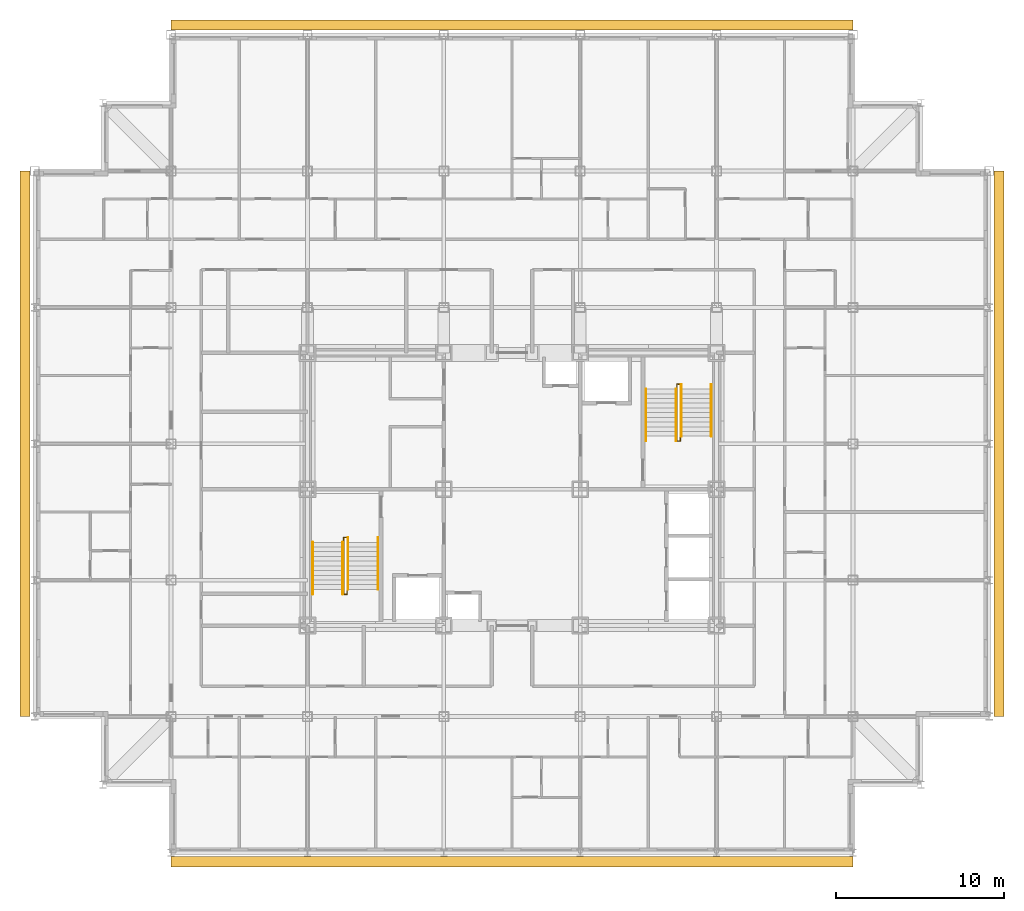
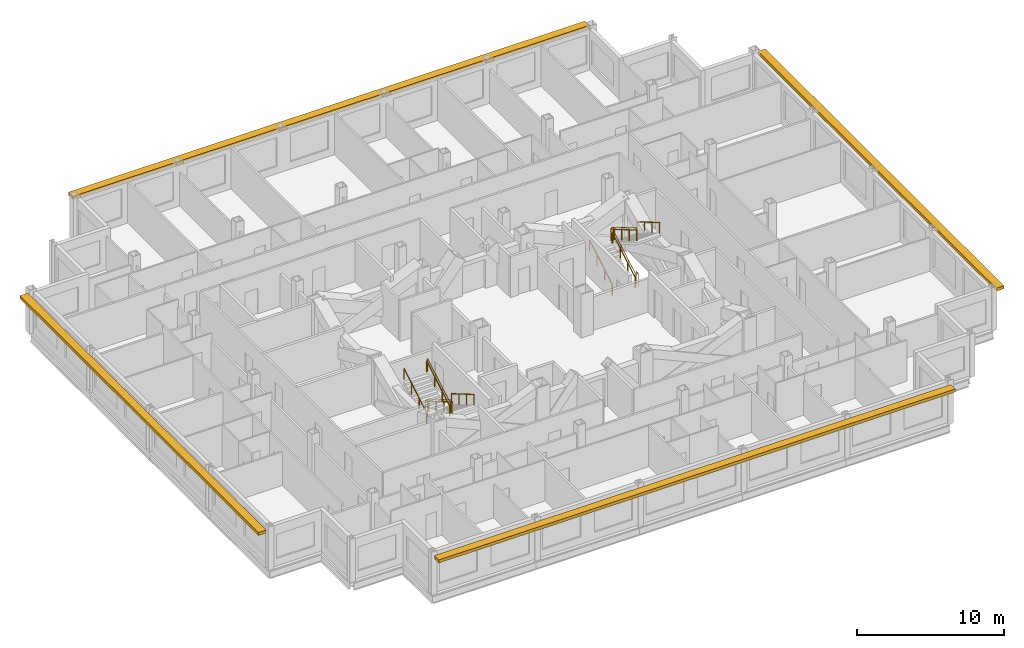
# One storey, part 12 of 12: 10 railings, 4 shading devices.
"""IFC4 building model written with IfcOpenShell, lengths in metres."""

from ifc_helpers import new_model, si_unit, direction, frame, origin, origin_2d, place, context, subcontext, project, spatial, rectangle, circle, extrude, material, type_object, element, save


model = new_model("IFC4")

# Units and contexts
model_context = context("Model", 3, precision=1e-05, world=origin(), true_north=direction((0.0, 1.0)))
body_context = subcontext(model_context, "Body", "Model", "MODEL_VIEW")
ifc_project = project(units=[si_unit("LENGTHUNIT", "METRE"), si_unit("AREAUNIT", "SQUARE_METRE"), si_unit("VOLUMEUNIT", "CUBIC_METRE"), si_unit("PLANEANGLEUNIT", "RADIAN"), si_unit("MASSUNIT", "GRAM", prefix="KILO")], contexts=[model_context])

# Site, building, storey
site_placement = place(None, origin())
site = spatial("IfcSite", under=ifc_project, at=site_placement, CompositionType="ELEMENT")
building_placement = place(site_placement, origin())
building = spatial("IfcBuilding", under=site, at=building_placement, Name="Kopane Lantern Tower", CompositionType="ELEMENT")
storey_placement = place(building_placement, frame((0.0, 0.0, 206.39990234375)))
storey = spatial("IfcBuildingStorey", under=building, at=storey_placement, Name="L53", CompositionType="ELEMENT", Elevation=206.39990234375)

# Railings
ifc_material_1 = material(Name="Steel", Category="steel")
railing_type_1 = type_object("IfcRailingType", Name="STAIR GUARD 1100", PredefinedType="GUARDRAIL", material=ifc_material_1)
railing_1_placement = place(storey_placement, frame((18.35009765625, 29.25, 0.0)))
element("IfcRailing", 1, at=railing_1_placement, inside=storey, type_object=railing_type_1, Name="ST1 well guard L53", PredefinedType="GUARDRAIL", context=body_context, shape_type="SweptSolid", body=[
    extrude(circle(Radius=0.02392578125, at=origin_2d()), frame((0.0, 0.0, 1.076171875), z_axis=(0.0, 1.0, 0.0), x_axis=(-1.0, 0.0, 0.0)), (0.0, 0.0, 1.0), 0.280029296875),
    extrude(circle(Radius=0.02392578125, at=origin_2d()), frame((0.0, 0.280029296875, 1.076171875), z_axis=(1.0, 0.0, 0.0), x_axis=(0.0, 1.0, 0.0)), (0.0, 0.0, 1.0), 0.199951171875),
    extrude(circle(Radius=0.02392578125, at=origin_2d()), frame((0.199951171875, 0.280029296875, 1.076171875), z_axis=(0.0, -0.863371556955, 0.504568681787), x_axis=(1.0, 0.0, 0.0)), (0.0, 0.0, 1.0), 3.5673828125),
    extrude(circle(Radius=0.02392578125, at=origin_2d()), frame((0.199951171875, -2.800048828125, 2.8759765625), z_axis=(0.0, -1.0, 0.0), x_axis=(1.0, 0.0, 0.0)), (0.0, 0.0, 1.0), 0.280029296875),
    extrude(circle(Radius=0.02392578125, at=origin_2d()), frame((0.199951171875, -3.080078125, 2.8759765625), z_axis=(-1.0, 0.0, 0.0), x_axis=(0.0, -1.0, 0.0)), (0.0, 0.0, 1.0), 0.199951171875),
    extrude(circle(Radius=0.02392578125, at=origin_2d()), frame((0.0, -3.080078125, 2.8759765625), z_axis=(0.0, 0.863371556955, 0.504568681787), x_axis=(-1.0, 0.0, 0.0)), (0.0, 0.0, 1.0), 3.5673828125),
    extrude(circle(Radius=0.02099609375, at=origin_2d()), origin(), (0.0, 0.0, 1.0), 1.052001953125),
    extrude(circle(Radius=0.02099609375, at=origin_2d()), frame((0.0, 0.280029296875, 0.0)), (0.0, 0.0, 1.0), 1.052001953125),
    extrude(circle(Radius=0.02099609375, at=origin_2d()), frame((0.199951171875, 0.280029296875, 0.0)), (0.0, 0.0, 1.0), 1.052001953125),
    extrude(circle(Radius=0.02099609375, at=origin_2d()), frame((0.199951171875, -0.74658203125, 0.60009765625)), (0.0, 0.0, 1.0), 1.052001953125),
    extrude(circle(Radius=0.02099609375, at=origin_2d()), frame((0.199951171875, -1.7734375, 1.199951171875)), (0.0, 0.0, 1.0), 1.052001953125),
    extrude(circle(Radius=0.02099609375, at=origin_2d()), frame((0.199951171875, -2.800048828125, 1.800048828125)), (0.0, 0.0, 1.0), 1.052001953125),
    extrude(circle(Radius=0.02099609375, at=origin_2d()), frame((0.199951171875, -3.080078125, 1.800048828125)), (0.0, 0.0, 1.0), 1.052001953125),
    extrude(circle(Radius=0.02099609375, at=origin_2d()), frame((0.0, -3.080078125, 1.800048828125)), (0.0, 0.0, 1.0), 1.052001953125),
    extrude(circle(Radius=0.02099609375, at=origin_2d()), frame((0.0, -2.053466796875, 2.400146484375)), (0.0, 0.0, 1.0), 1.052001953125),
    extrude(circle(Radius=0.02099609375, at=origin_2d()), frame((0.0, -1.026611328125, 3.0)), (0.0, 0.0, 1.0), 1.052001953125),
    extrude(circle(Radius=0.02099609375, at=origin_2d()), frame((0.0, 0.0, 3.60009765625)), (0.0, 0.0, 1.0), 1.052001953125),
])
railing_2_placement = place(storey_placement, frame((38.35009765625, 35.550048828125, 0.0)))
element("IfcRailing", 2, at=railing_2_placement, inside=storey, type_object=railing_type_1, Name="ST2 well guard L53", PredefinedType="GUARDRAIL", context=body_context, shape_type="SweptSolid", body=[
    extrude(circle(Radius=0.02392578125, at=origin_2d()), frame((0.0, 0.0, 1.076171875), z_axis=(0.0, -1.0, 0.0), x_axis=(1.0, 0.0, 0.0)), (0.0, 0.0, 1.0), 0.280029296875),
    extrude(circle(Radius=0.02392578125, at=origin_2d()), frame((0.0, -0.280029296875, 1.076171875), z_axis=(-1.0, 0.0, 0.0), x_axis=(0.0, -1.0, 0.0)), (0.0, 0.0, 1.0), 0.2001953125),
    extrude(circle(Radius=0.02392578125, at=origin_2d()), frame((-0.2001953125, -0.280029296875, 1.076171875), z_axis=(0.0, 0.863371556955, 0.504568681787), x_axis=(-1.0, 0.0, 0.0)), (0.0, 0.0, 1.0), 3.5673828125),
    extrude(circle(Radius=0.02392578125, at=origin_2d()), frame((-0.2001953125, 2.800048828125, 2.8759765625), z_axis=(0.0, 1.0, 0.0), x_axis=(-1.0, 0.0, 0.0)), (0.0, 0.0, 1.0), 0.27978515625),
    extrude(circle(Radius=0.02392578125, at=origin_2d()), frame((-0.2001953125, 3.079833984375, 2.8759765625), z_axis=(1.0, 0.0, 0.0), x_axis=(0.0, 1.0, 0.0)), (0.0, 0.0, 1.0), 0.2001953125),
    extrude(circle(Radius=0.02392578125, at=origin_2d()), frame((0.0, 3.079833984375, 2.8759765625), z_axis=(0.0, -0.863354132664, 0.504598495452), x_axis=(1.0, 0.0, 0.0)), (0.0, 0.0, 1.0), 3.5673828125),
    extrude(circle(Radius=0.02099609375, at=origin_2d()), origin(), (0.0, 0.0, 1.0), 1.052001953125),
    extrude(circle(Radius=0.02099609375, at=origin_2d()), frame((0.0, -0.280029296875, 0.0)), (0.0, 0.0, 1.0), 1.052001953125),
    extrude(circle(Radius=0.02099609375, at=origin_2d()), frame((-0.2001953125, -0.280029296875, 0.0)), (0.0, 0.0, 1.0), 1.052001953125),
    extrude(circle(Radius=0.02099609375, at=origin_2d()), frame((-0.2001953125, 0.74658203125, 0.60009765625)), (0.0, 0.0, 1.0), 1.052001953125),
    extrude(circle(Radius=0.02099609375, at=origin_2d()), frame((-0.2001953125, 1.7734375, 1.199951171875)), (0.0, 0.0, 1.0), 1.052001953125),
    extrude(circle(Radius=0.02099609375, at=origin_2d()), frame((-0.2001953125, 2.800048828125, 1.800048828125)), (0.0, 0.0, 1.0), 1.052001953125),
    extrude(circle(Radius=0.02099609375, at=origin_2d()), frame((-0.2001953125, 3.079833984375, 1.800048828125)), (0.0, 0.0, 1.0), 1.052001953125),
    extrude(circle(Radius=0.02099609375, at=origin_2d()), frame((0.0, 3.079833984375, 1.800048828125)), (0.0, 0.0, 1.0), 1.052001953125),
    extrude(circle(Radius=0.02099609375, at=origin_2d()), frame((0.0, 2.05322265625, 2.400146484375)), (0.0, 0.0, 1.0), 1.052001953125),
    extrude(circle(Radius=0.02099609375, at=origin_2d()), frame((0.0, 1.026611328125, 3.0)), (0.0, 0.0, 1.0), 1.052001953125),
    extrude(circle(Radius=0.02099609375, at=origin_2d()), frame((0.0, 0.0, 3.60009765625)), (0.0, 0.0, 1.0), 1.052001953125),
])
ifc_material_2 = material(Name="Steel", Category="steel")
railing_type_2 = type_object("IfcRailingType", Name="STAIR HANDRAIL 900", PredefinedType="HANDRAIL", material=ifc_material_2)
for number, where, name in (
    (3, (20.389892578125, 29.530029296875, 0.0), "ST1 handrail L53 flight 1"),
    (4, (18.610107421875, 29.530029296875, 0.0), "ST1 handrail L53 flight 1"),
):
    element("IfcRailing", number, at=place(storey_placement, frame(where)), inside=storey, type_object=railing_type_2, Name=name, PredefinedType="HANDRAIL", context=body_context, shape_type="SweptSolid", body=[
        extrude(circle(Radius=0.02392578125, at=origin_2d()), frame((0.0, 0.0, 0.8759765625), z_axis=(0.0, -0.863371556955, 0.504568681787), x_axis=(1.0, 0.0, 0.0)), (0.0, 0.0, 1.0), 3.5673828125),
        extrude(circle(Radius=0.02099609375, at=origin_2d()), origin(), (0.0, 0.0, 1.0), 0.851806640625),
        extrude(circle(Radius=0.02099609375, at=origin_2d()), frame((0.0, -1.026611328125, 0.60009765625)), (0.0, 0.0, 1.0), 0.851806640625),
        extrude(circle(Radius=0.02099609375, at=origin_2d()), frame((0.0, -2.053466796875, 1.199951171875)), (0.0, 0.0, 1.0), 0.851806640625),
        extrude(circle(Radius=0.02099609375, at=origin_2d()), frame((0.0, -3.080078125, 1.800048828125)), (0.0, 0.0, 1.0), 0.851806640625),
    ])
for number, where, name in (
    (5, (16.510009765625, 26.169921875, 1.800048828125), "ST1 handrail L53 flight 2"),
    (6, (18.2900390625, 26.169921875, 1.800048828125), "ST1 handrail L53 flight 2"),
    (7, (36.31005859375, 35.27001953125, 0.0), "ST2 handrail L53 flight 1"),
    (8, (38.090087890625, 35.27001953125, 0.0), "ST2 handrail L53 flight 1"),
):
    element("IfcRailing", number, at=place(storey_placement, frame(where)), inside=storey, type_object=railing_type_2, Name=name, PredefinedType="HANDRAIL", context=body_context, shape_type="SweptSolid", body=[
        extrude(circle(Radius=0.02392578125, at=origin_2d()), frame((0.0, 0.0, 0.8759765625), z_axis=(0.0, 0.863371556955, 0.504568681787), x_axis=(-1.0, 0.0, 0.0)), (0.0, 0.0, 1.0), 3.5673828125),
        extrude(circle(Radius=0.02099609375, at=origin_2d()), origin(), (0.0, 0.0, 1.0), 0.851806640625),
        extrude(circle(Radius=0.02099609375, at=origin_2d()), frame((0.0, 1.026611328125, 0.60009765625)), (0.0, 0.0, 1.0), 0.851806640625),
        extrude(circle(Radius=0.02099609375, at=origin_2d()), frame((0.0, 2.053466796875, 1.199951171875)), (0.0, 0.0, 1.0), 0.851806640625),
        extrude(circle(Radius=0.02099609375, at=origin_2d()), frame((0.0, 3.080078125, 1.800048828125)), (0.0, 0.0, 1.0), 0.851806640625),
    ])
for number, where, name in (
    (9, (40.18994140625, 38.6298828125, 1.800048828125), "ST2 handrail L53 flight 2"),
    (10, (38.409912109375, 38.6298828125, 1.800048828125), "ST2 handrail L53 flight 2"),
):
    element("IfcRailing", number, at=place(storey_placement, frame(where)), inside=storey, type_object=railing_type_2, Name=name, PredefinedType="HANDRAIL", context=body_context, shape_type="SweptSolid", body=[
        extrude(circle(Radius=0.02392578125, at=origin_2d()), frame((0.0, 0.0, 0.8759765625), z_axis=(0.0, -0.863354132664, 0.504598495452), x_axis=(1.0, 0.0, 0.0)), (0.0, 0.0, 1.0), 3.5673828125),
        extrude(circle(Radius=0.02099609375, at=origin_2d()), origin(), (0.0, 0.0, 1.0), 0.851806640625),
        extrude(circle(Radius=0.02099609375, at=origin_2d()), frame((0.0, -1.026611328125, 0.60009765625)), (0.0, 0.0, 1.0), 0.851806640625),
        extrude(circle(Radius=0.02099609375, at=origin_2d()), frame((0.0, -2.05322265625, 1.199951171875)), (0.0, 0.0, 1.0), 0.851806640625),
        extrude(circle(Radius=0.02099609375, at=origin_2d()), frame((0.0, -3.079833984375, 1.800048828125)), (0.0, 0.0, 1.0), 0.851806640625),
    ])

# Shading devices
ifc_material_3 = material(Name="Terracotta rainscreen on light steel framing", Category="masonry")
shading_device_type = type_object("IfcShadingDeviceType", Name="SUNSHADE BAND SB1 600 TERRACOTTA", PredefinedType="USERDEFINED", material=ifc_material_3)
shading_device_1_placement = place(storey_placement, frame((28.35009765625, 10.272216796875, 3.0), z_axis=(0.0, 0.0, 1.0), x_axis=(1.0, 0.0, 0.0)))
element("IfcShadingDevice", 11, at=shading_device_1_placement, inside=storey, type_object=shading_device_type, Name="Sunshade band S L53", ObjectType="SUNSHADE BAND", PredefinedType="USERDEFINED", context=body_context, shape_type="SweptSolid", body=[
    extrude(rectangle(XDim=40.5, YDim=0.60009765625, at=origin_2d()), origin(), (0.0, 0.0, 1.0), 0.25),
])
shading_device_2_placement = place(storey_placement, frame((57.27490234375, 35.10009765625, 3.0), z_axis=(0.0, 0.0, 1.0), x_axis=(0.0, 1.0, 0.0)))
element("IfcShadingDevice", 12, at=shading_device_2_placement, inside=storey, type_object=shading_device_type, Name="Sunshade band E L53", ObjectType="SUNSHADE BAND", PredefinedType="USERDEFINED", context=body_context, shape_type="SweptSolid", body=[
    extrude(rectangle(XDim=32.39990234375, YDim=0.60009765625, at=origin_2d()), origin(), (0.0, 0.0, 1.0), 0.25),
])
shading_device_3_placement = place(storey_placement, frame((28.35009765625, 59.97509765625, 3.0), z_axis=(0.0, 0.0, 1.0), x_axis=(-1.0, 0.0, 0.0)))
element("IfcShadingDevice", 13, at=shading_device_3_placement, inside=storey, type_object=shading_device_type, Name="Sunshade band N L53", ObjectType="SUNSHADE BAND", PredefinedType="USERDEFINED", context=body_context, shape_type="SweptSolid", body=[
    extrude(rectangle(XDim=40.5, YDim=0.60009765625, at=origin_2d()), origin(), (0.0, 0.0, 1.0), 0.25),
])
shading_device_4_placement = place(storey_placement, frame((-0.574951171875, 35.10009765625, 3.0), z_axis=(0.0, 0.0, 1.0), x_axis=(0.0, -1.0, 0.0)))
element("IfcShadingDevice", 14, at=shading_device_4_placement, inside=storey, type_object=shading_device_type, Name="Sunshade band W L53", ObjectType="SUNSHADE BAND", PredefinedType="USERDEFINED", context=body_context, shape_type="SweptSolid", body=[
    extrude(rectangle(XDim=32.39990234375, YDim=0.60009765625, at=origin_2d()), origin(), (0.0, 0.0, 1.0), 0.25),
])

save(model, "model.ifc")
